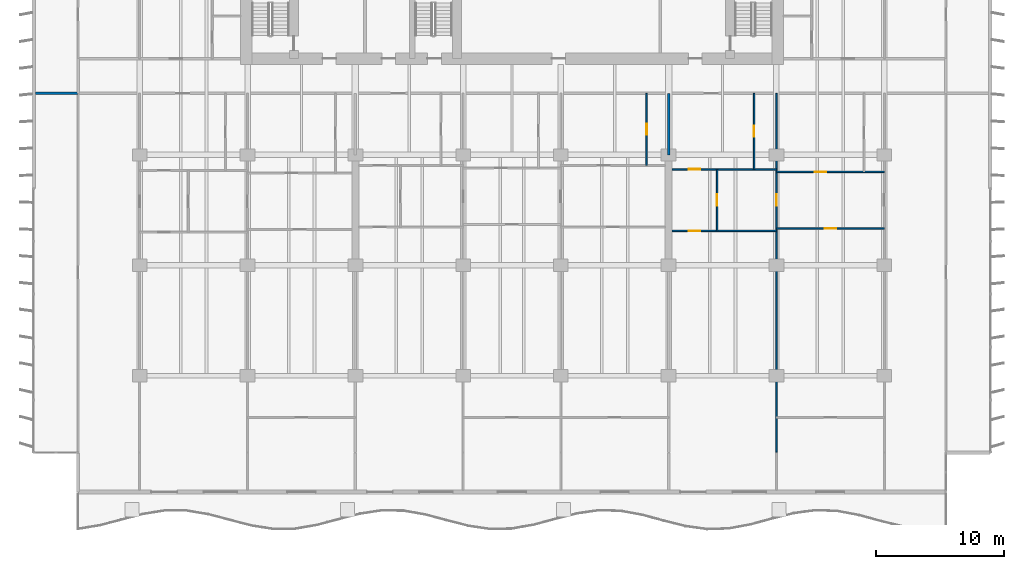
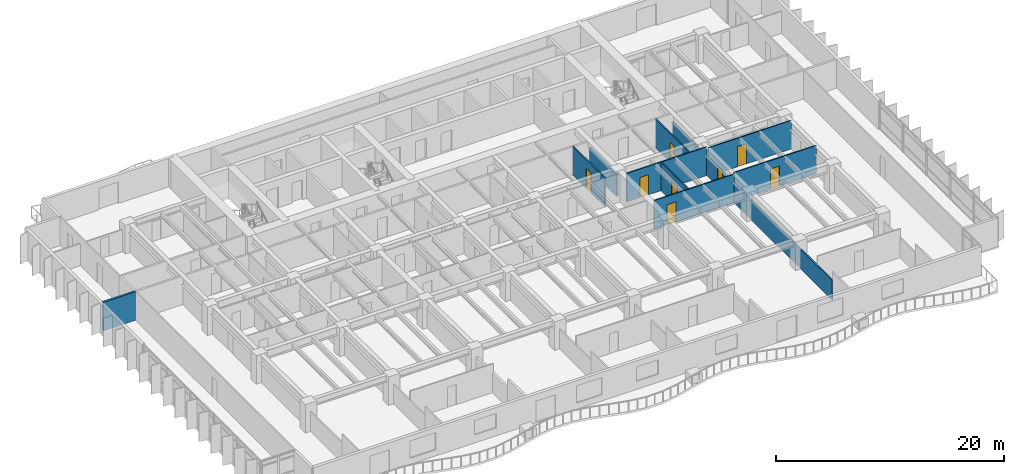
# One storey, part 8 of 16: 10 walls, 8 doors, 8 openings.
"""IFC4 building model written with IfcOpenShell, lengths in metres."""

from ifc_helpers import new_model, si_unit, direction, frame, frame_2d, origin, place, context, subcontext, project, spatial, rectangle, extrude, material, layer, layer_set, type_object, element, fill, save


model = new_model("IFC4")

# Units and contexts
model_context = context("Model", 3, precision=1e-05, world=origin(), true_north=direction((0.0, 1.0)))
body_context = subcontext(model_context, "Body", "Model", "MODEL_VIEW")
ifc_project = project(units=[si_unit("LENGTHUNIT", "METRE"), si_unit("AREAUNIT", "SQUARE_METRE"), si_unit("VOLUMEUNIT", "CUBIC_METRE"), si_unit("PLANEANGLEUNIT", "RADIAN"), si_unit("MASSUNIT", "GRAM", prefix="KILO")], contexts=[model_context])

# Site, building, storey
site_placement = place(None, origin())
site = spatial("IfcSite", under=ifc_project, at=site_placement, CompositionType="ELEMENT")
building_placement = place(site_placement, origin())
building = spatial("IfcBuilding", under=site, at=building_placement, Name="Caelmar Bay Residences", CompositionType="ELEMENT")
storey_placement = place(building_placement, frame((0.0, 0.0, 72.89990234375)))
storey = spatial("IfcBuildingStorey", under=building, at=storey_placement, Name="L19", CompositionType="ELEMENT", Elevation=72.89990234375)

# Wall, opening, door
ifc_material_1 = material(Name="Acoustic metal-stud gypsum partition 120 mm")
ifc_layer_1 = layer(ifc_material_1, 0.1201171875)
ifc_layer_set_1 = layer_set([ifc_layer_1], Name="Acoustic metal-stud gypsum partition 120 mm")
wall_type_1 = type_object("IfcWallType", Name="W-PRT-120", PredefinedType="PARTITIONING", material=ifc_layer_set_1)
wall_1_placement = place(storey_placement, frame((49.39208984375, 28.580078125, 0.0), z_axis=(0.0, 0.0, 1.0), x_axis=(0.0, 1.0, 0.0)))
wall_1 = element("IfcWall", 1, at=wall_1_placement, inside=storey, type_object=wall_type_1, Name="L19 Partition Wall V033", PredefinedType="PARTITIONING", context=body_context, shape_type="SweptSolid", body=[
    extrude(rectangle(XDim=5.619873046875, YDim=0.1201171875, at=frame_2d((2.81005859375, 0.0))), origin(), (0.0, 0.0, 1.0), 3.050048828125),
])
opening_1_placement = place(wall_1_placement, frame((2.385009765625, 0.0, 0.0)))
opening_1 = element("IfcOpeningElement", 2, at=opening_1_placement, cuts=wall_1, Name="Opening D-L19-142", PredefinedType="OPENING", context=body_context, shape_type="SweptSolid", body=[
    extrude(rectangle(XDim=0.85009765625, YDim=2.10009765625, at=frame_2d((0.425048828125, 1.050048828125))), frame((0.0, 0.070068359375, 0.0), z_axis=(0.0, -1.0, 0.0), x_axis=(1.0, 0.0, 0.0)), (0.0, 0.0, 1.0), 0.14013671875),
])
ifc_material_2 = material(Name="Solid walnut timber interior door leaf and frame", Category="wood")
ifc_layer_2 = layer(ifc_material_2, 0.050048828125)
ifc_layer_set_2 = layer_set([ifc_layer_2], Name="Solid walnut timber interior door leaf and frame")
door_type_1 = type_object("IfcDoorType", Name="D-BATH-850", OperationType="NOTDEFINED", PredefinedType="DOOR", material=ifc_layer_set_2)
door_1_placement = place(opening_1_placement, origin())
door_1 = element("IfcDoor", 3, at=door_1_placement, inside=storey, type_object=door_type_1, Name="L19 Residence 02 En-Suite Bathroom 2 Door", OperationType="SINGLE_SWING_LEFT", OverallHeight=2.10009765625, OverallWidth=0.85009765625, PredefinedType="DOOR", context=body_context, shape_type="SweptSolid", body=[
    extrude(rectangle(XDim=0.85009765625, YDim=2.10009765625, at=frame_2d((0.425048828125, 1.050048828125))), frame((0.0, 0.02490234375, 0.0), z_axis=(0.0, -1.0, 0.0), x_axis=(1.0, 0.0, 0.0)), (0.0, 0.0, 1.0), 0.050048828125),
])
fill(opening_1, door_1)

wall_2_placement = place(storey_placement, frame((54.8798828125, 23.47998046875, 0.0), z_axis=(0.0, 0.0, 1.0), x_axis=(0.0, 1.0, 0.0)))
wall_2 = element("IfcWall", 4, at=wall_2_placement, inside=storey, type_object=wall_type_1, Name="L19 Partition Wall V040", PredefinedType="PARTITIONING", context=body_context, shape_type="SweptSolid", body=[
    extrude(rectangle(XDim=4.800048828125, YDim=0.1201171875, at=frame_2d((2.39990234375, 0.0))), origin(), (0.0, 0.0, 1.0), 3.050048828125),
])
opening_2_placement = place(wall_2_placement, frame((1.949951171875, 0.0, 0.0)))
opening_2 = element("IfcOpeningElement", 5, at=opening_2_placement, cuts=wall_2, Name="Opening D-L19-148", PredefinedType="OPENING", context=body_context, shape_type="SweptSolid", body=[
    extrude(rectangle(XDim=0.89990234375, YDim=2.14990234375, at=frame_2d((0.449951171875, 1.074951171875))), frame((0.0, 0.070068359375, 0.0), z_axis=(0.0, -1.0, 0.0), x_axis=(1.0, 0.0, 0.0)), (0.0, 0.0, 1.0), 0.14013671875),
])
ifc_layer_3 = layer(ifc_material_2, 0.050048828125)
ifc_layer_set_3 = layer_set([ifc_layer_3], Name="Solid walnut timber interior door leaf and frame")
door_type_2 = type_object("IfcDoorType", Name="D-ROOM-900", OperationType="NOTDEFINED", PredefinedType="DOOR", material=ifc_layer_set_3)
door_2_placement = place(opening_2_placement, origin())
door_2 = element("IfcDoor", 6, at=door_2_placement, inside=storey, type_object=door_type_2, Name="L19 Residence 03 Kitchen Door", OperationType="SINGLE_SWING_LEFT", OverallHeight=2.14990234375, OverallWidth=0.89990234375, PredefinedType="DOOR", context=body_context, shape_type="SweptSolid", body=[
    extrude(rectangle(XDim=0.89990234375, YDim=2.14990234375, at=frame_2d((0.449951171875, 1.074951171875))), frame((0.0, 0.02490234375, 0.0), z_axis=(0.0, -1.0, 0.0), x_axis=(1.0, 0.0, 0.0)), (0.0, 0.0, 1.0), 0.050048828125),
])
fill(opening_2, door_2)

wall_3_placement = place(storey_placement, frame((57.760009765625, 28.280029296875, 0.0), z_axis=(0.0, 0.0, 1.0), x_axis=(0.0, 1.0, 0.0)))
wall_3 = element("IfcWall", 7, at=wall_3_placement, inside=storey, type_object=wall_type_1, Name="L19 Partition Wall V042", PredefinedType="PARTITIONING", context=body_context, shape_type="SweptSolid", body=[
    extrude(rectangle(XDim=5.919921875, YDim=0.1201171875, at=frame_2d((2.9599609375, 0.0))), origin(), (0.0, 0.0, 1.0), 3.050048828125),
])
opening_3_placement = place(wall_3_placement, frame((2.534912109375, 0.0, 0.0)))
opening_3 = element("IfcOpeningElement", 8, at=opening_3_placement, cuts=wall_3, Name="Opening D-L19-146", PredefinedType="OPENING", context=body_context, shape_type="SweptSolid", body=[
    extrude(rectangle(XDim=0.85009765625, YDim=2.10009765625, at=frame_2d((0.425048828125, 1.050048828125))), frame((0.0, 0.070068359375, 0.0), z_axis=(0.0, -1.0, 0.0), x_axis=(1.0, 0.0, 0.0)), (0.0, 0.0, 1.0), 0.14013671875),
])
door_3_placement = place(opening_3_placement, origin())
door_3 = element("IfcDoor", 9, at=door_3_placement, inside=storey, type_object=door_type_1, Name="L19 Residence 03 Guest Bathroom Door", OperationType="SINGLE_SWING_LEFT", OverallHeight=2.10009765625, OverallWidth=0.85009765625, PredefinedType="DOOR", context=body_context, shape_type="SweptSolid", body=[
    extrude(rectangle(XDim=0.85009765625, YDim=2.10009765625, at=frame_2d((0.425048828125, 1.050048828125))), frame((0.0, 0.02490234375, 0.0), z_axis=(0.0, -1.0, 0.0), x_axis=(1.0, 0.0, 0.0)), (0.0, 0.0, 1.0), 0.050048828125),
])
fill(opening_3, door_3)

wall_4_placement = place(storey_placement, frame((59.5, 6.239990234375, 0.0), z_axis=(0.0, 0.0, 1.0), x_axis=(0.0, 1.0, 0.0)))
wall_4 = element("IfcWall", 10, at=wall_4_placement, inside=storey, type_object=wall_type_1, Name="L19 Partition Wall V044", PredefinedType="PARTITIONING", context=body_context, shape_type="SweptSolid", body=[
    extrude(rectangle(XDim=27.9599609375, YDim=0.1201171875, at=frame_2d((13.97998046875, 0.0))), origin(), (0.0, 0.0, 1.0), 2.110107421875),
])
opening_4_placement = place(wall_4_placement, frame((19.18994140625, 0.0, 0.0)))
opening_4 = element("IfcOpeningElement", 11, at=opening_4_placement, cuts=wall_4, Name="Opening D-L19-150", PredefinedType="OPENING", context=body_context, shape_type="SweptSolid", body=[
    extrude(rectangle(XDim=0.89990234375, YDim=2.06005859375, at=frame_2d((0.449951171875, 1.030029296875))), frame((0.0, 0.070068359375, 0.0), z_axis=(0.0, -1.0, 0.0), x_axis=(1.0, 0.0, 0.0)), (0.0, 0.0, 1.0), 0.14013671875),
])
door_4_placement = place(opening_4_placement, origin())
door_4 = element("IfcDoor", 12, at=door_4_placement, inside=storey, type_object=door_type_2, Name="L19 Residence 03 Reception Lounge 1 Door", OperationType="SINGLE_SWING_LEFT", OverallHeight=2.06005859375, OverallWidth=0.89990234375, PredefinedType="DOOR", context=body_context, shape_type="SweptSolid", body=[
    extrude(rectangle(XDim=0.89990234375, YDim=2.06005859375, at=frame_2d((0.449951171875, 1.030029296875))), frame((0.0, 0.02490234375, 0.0), z_axis=(0.0, -1.0, 0.0), x_axis=(1.0, 0.0, 0.0)), (0.0, 0.0, 1.0), 0.050048828125),
])
fill(opening_4, door_4)

wall_5_placement = place(storey_placement, frame((51.3701171875, 23.47998046875, 0.0), z_axis=(0.0, 0.0, 1.0), x_axis=(1.0, 0.0, 0.0)))
wall_5 = element("IfcWall", 13, at=wall_5_placement, inside=storey, type_object=wall_type_1, Name="L19 Partition Wall H057", PredefinedType="PARTITIONING", context=body_context, shape_type="SweptSolid", body=[
    extrude(rectangle(XDim=8.1298828125, YDim=0.1201171875, at=frame_2d((4.06494140625, 0.0))), origin(), (0.0, 0.0, 1.0), 3.050048828125),
])
opening_5_placement = place(wall_5_placement, frame((1.304931640625, 0.0, 0.0)))
opening_5 = element("IfcOpeningElement", 14, at=opening_5_placement, cuts=wall_5, Name="Opening D-L19-149", PredefinedType="OPENING", context=body_context, shape_type="SweptSolid", body=[
    extrude(rectangle(XDim=0.89990234375, YDim=2.14990234375, at=frame_2d((0.449951171875, 1.074951171875))), frame((0.0, 0.070068359375, 0.0), z_axis=(0.0, -1.0, 0.0), x_axis=(1.0, 0.0, 0.0)), (0.0, 0.0, 1.0), 0.14013671875),
])
door_5_placement = place(opening_5_placement, origin())
door_5 = element("IfcDoor", 15, at=door_5_placement, inside=storey, type_object=door_type_2, Name="L19 Residence 03 Penthouse Living Salon Door", OperationType="SINGLE_SWING_RIGHT", OverallHeight=2.14990234375, OverallWidth=0.89990234375, PredefinedType="DOOR", context=body_context, shape_type="SweptSolid", body=[
    extrude(rectangle(XDim=0.89990234375, YDim=2.14990234375, at=frame_2d((0.449951171875, 1.074951171875))), frame((0.0, 0.02490234375, 0.0), z_axis=(0.0, -1.0, 0.0), x_axis=(1.0, 0.0, 0.0)), (0.0, 0.0, 1.0), 0.050048828125),
])
fill(opening_5, door_5)

wall_6_placement = place(storey_placement, frame((59.5048828125, 23.679931640625, 0.0), z_axis=(0.0, 0.0, 1.0), x_axis=(1.0, 0.0, 0.0)))
wall_6 = element("IfcWall", 16, at=wall_6_placement, inside=storey, type_object=wall_type_1, Name="L19 Partition Wall H059", PredefinedType="PARTITIONING", context=body_context, shape_type="SweptSolid", body=[
    extrude(rectangle(XDim=8.39501953125, YDim=0.1201171875, at=frame_2d((4.197509765625, 0.0))), origin(), (0.0, 0.0, 1.0), 3.050048828125),
])
opening_6_placement = place(wall_6_placement, frame((3.74755859375, 0.0, 0.0)))
opening_6 = element("IfcOpeningElement", 17, at=opening_6_placement, cuts=wall_6, Name="Opening D-L19-153", PredefinedType="OPENING", context=body_context, shape_type="SweptSolid", body=[
    extrude(rectangle(XDim=0.89990234375, YDim=2.14990234375, at=frame_2d((0.449951171875, 1.074951171875))), frame((0.0, 0.070068359375, 0.0), z_axis=(0.0, -1.0, 0.0), x_axis=(1.0, 0.0, 0.0)), (0.0, 0.0, 1.0), 0.14013671875),
])
door_6_placement = place(opening_6_placement, origin())
door_6 = element("IfcDoor", 18, at=door_6_placement, inside=storey, type_object=door_type_2, Name="L19 Residence 03 Penthouse Sitting Salon 1 Door", OperationType="SINGLE_SWING_RIGHT", OverallHeight=2.14990234375, OverallWidth=0.89990234375, PredefinedType="DOOR", context=body_context, shape_type="SweptSolid", body=[
    extrude(rectangle(XDim=0.89990234375, YDim=2.14990234375, at=frame_2d((0.449951171875, 1.074951171875))), frame((0.0, 0.02490234375, 0.0), z_axis=(0.0, -1.0, 0.0), x_axis=(1.0, 0.0, 0.0)), (0.0, 0.0, 1.0), 0.050048828125),
])
fill(opening_6, door_6)

wall_7_placement = place(storey_placement, frame((59.5, 28.080078125, 0.0), z_axis=(0.0, 0.0, 1.0), x_axis=(1.0, 0.0, 0.0)))
wall_7 = element("IfcWall", 19, at=wall_7_placement, inside=storey, type_object=wall_type_1, Name="L19 Partition Wall H064", PredefinedType="PARTITIONING", context=body_context, shape_type="SweptSolid", body=[
    extrude(rectangle(XDim=8.39990234375, YDim=0.1201171875, at=frame_2d((4.199951171875, 0.0))), origin(), (0.0, 0.0, 1.0), 3.050048828125),
])
opening_7_placement = place(wall_7_placement, frame((2.965576171875, 0.0, 0.0)))
opening_7 = element("IfcOpeningElement", 20, at=opening_7_placement, cuts=wall_7, Name="Opening D-L19-151", PredefinedType="OPENING", context=body_context, shape_type="SweptSolid", body=[
    extrude(rectangle(XDim=0.89990234375, YDim=2.14990234375, at=frame_2d((0.449951171875, 1.074951171875))), frame((0.0, 0.070068359375, 0.0), z_axis=(0.0, -1.0, 0.0), x_axis=(1.0, 0.0, 0.0)), (0.0, 0.0, 1.0), 0.14013671875),
])
door_7_placement = place(opening_7_placement, origin())
door_7 = element("IfcDoor", 21, at=door_7_placement, inside=storey, type_object=door_type_2, Name="L19 Residence 03 Private Reception Room 1 Door", OperationType="SINGLE_SWING_RIGHT", OverallHeight=2.14990234375, OverallWidth=0.89990234375, PredefinedType="DOOR", context=body_context, shape_type="SweptSolid", body=[
    extrude(rectangle(XDim=0.89990234375, YDim=2.14990234375, at=frame_2d((0.449951171875, 1.074951171875))), frame((0.0, 0.02490234375, 0.0), z_axis=(0.0, -1.0, 0.0), x_axis=(1.0, 0.0, 0.0)), (0.0, 0.0, 1.0), 0.050048828125),
])
fill(opening_7, door_7)

wall_8_placement = place(storey_placement, frame((51.3701171875, 28.280029296875, 0.0), z_axis=(0.0, 0.0, 1.0), x_axis=(1.0, 0.0, 0.0)))
wall_8 = element("IfcWall", 22, at=wall_8_placement, inside=storey, type_object=wall_type_1, Name="L19 Partition Wall H066", PredefinedType="PARTITIONING", context=body_context, shape_type="SweptSolid", body=[
    extrude(rectangle(XDim=8.1298828125, YDim=0.1201171875, at=frame_2d((4.06494140625, 0.0))), origin(), (0.0, 0.0, 1.0), 3.050048828125),
])
opening_8_placement = place(wall_8_placement, frame((1.304931640625, 0.0, 0.0)))
opening_8 = element("IfcOpeningElement", 23, at=opening_8_placement, cuts=wall_8, Name="Opening D-L19-147", PredefinedType="OPENING", context=body_context, shape_type="SweptSolid", body=[
    extrude(rectangle(XDim=0.89990234375, YDim=2.14990234375, at=frame_2d((0.449951171875, 1.074951171875))), frame((0.0, 0.070068359375, 0.0), z_axis=(0.0, -1.0, 0.0), x_axis=(1.0, 0.0, 0.0)), (0.0, 0.0, 1.0), 0.14013671875),
])
door_8_placement = place(opening_8_placement, origin())
door_8 = element("IfcDoor", 24, at=door_8_placement, inside=storey, type_object=door_type_2, Name="L19 Residence 03 Dining Room Door", OperationType="SINGLE_SWING_RIGHT", OverallHeight=2.14990234375, OverallWidth=0.89990234375, PredefinedType="DOOR", context=body_context, shape_type="SweptSolid", body=[
    extrude(rectangle(XDim=0.89990234375, YDim=2.14990234375, at=frame_2d((0.449951171875, 1.074951171875))), frame((0.0, 0.02490234375, 0.0), z_axis=(0.0, -1.0, 0.0), x_axis=(1.0, 0.0, 0.0)), (0.0, 0.0, 1.0), 0.050048828125),
])
fill(opening_8, door_8)

# Walls
ifc_material_3 = material(Name="Acoustic twin-stud fire-rated inter-tenancy partition 200 mm")
ifc_layer_4 = layer(ifc_material_3, 0.199951171875)
ifc_layer_set_4 = layer_set([ifc_layer_4], Name="Acoustic twin-stud fire-rated inter-tenancy partition 200 mm")
wall_type_2 = type_object("IfcWallType", Name="W-PTY-200", PredefinedType="PARTITIONING", material=ifc_layer_set_4)
wall_9_placement = place(storey_placement, frame((51.10009765625, 29.405029296875, 0.0), z_axis=(0.0, 0.0, 1.0), x_axis=(0.0, 1.0, 0.0)))
element("IfcWall", 25, at=wall_9_placement, inside=storey, type_object=wall_type_2, Name="L19 Partition Wall V038", PredefinedType="PARTITIONING", context=body_context, shape_type="SweptSolid", body=[
    extrude(rectangle(XDim=4.794921875, YDim=0.199951171875, at=frame_2d((2.3974609375, 0.0))), origin(), (0.0, 0.0, 1.0), 2.335205078125),
])
wall_10_placement = place(storey_placement, frame((1.794921875, 34.199951171875, 0.0), z_axis=(0.0, 0.0, 1.0), x_axis=(1.0, 0.0, 0.0)))
element("IfcWall", 26, at=wall_10_placement, inside=storey, type_object=wall_type_2, Name="L19 Partition Wall H070", PredefinedType="PARTITIONING", context=body_context, shape_type="SweptSolid", body=[
    extrude(rectangle(XDim=3.30517578125, YDim=0.199951171875, at=frame_2d((1.652587890625, 0.0))), origin(), (0.0, 0.0, 1.0), 3.050048828125),
])

save(model, "model.ifc")
